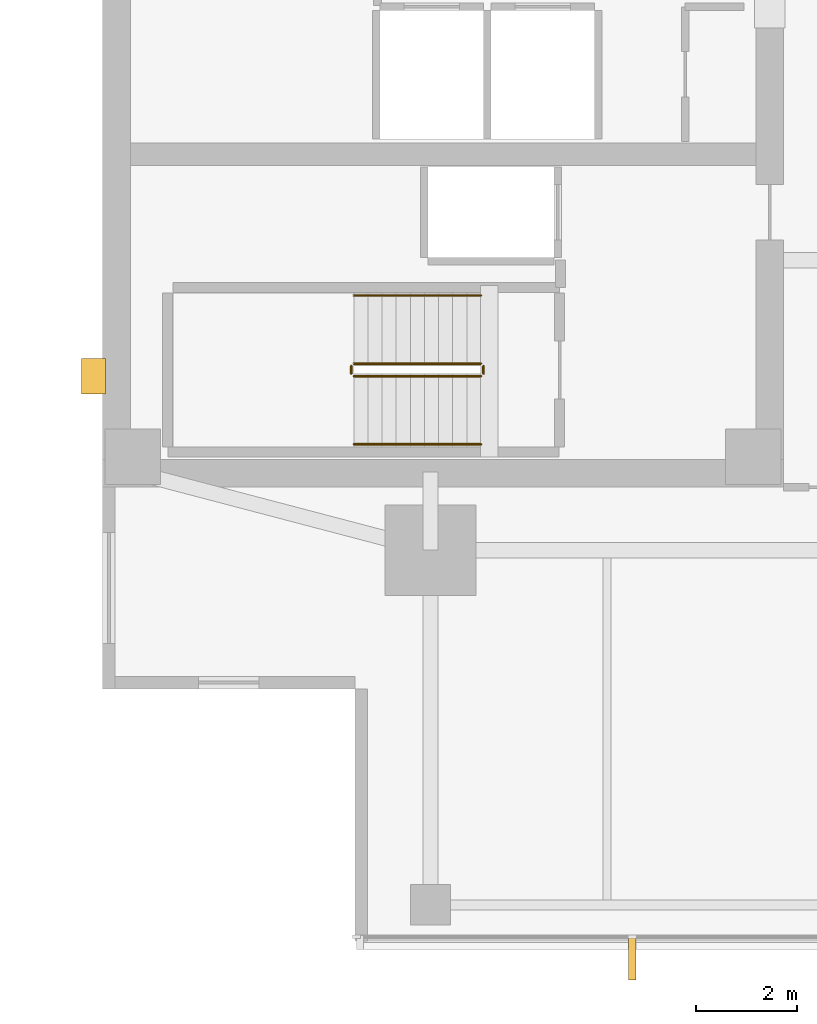
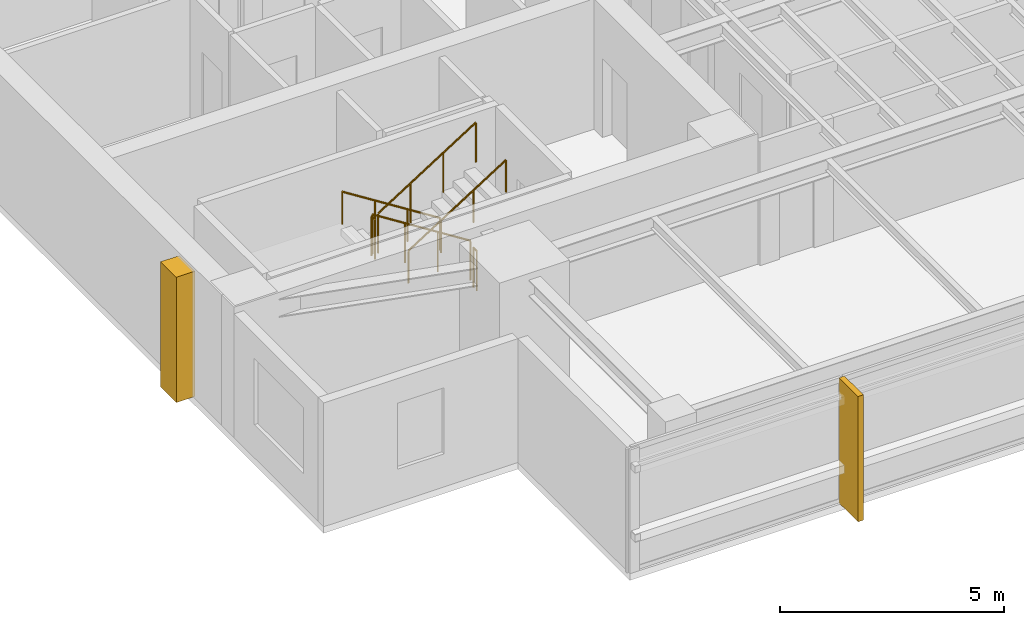
# One storey, part 11 of 14: 6 railings, 2 coverings.
"""IFC4 building model written with IfcOpenShell, lengths in metres."""

from ifc_helpers import new_model, si_unit, direction, frame, origin, origin_2d, place, context, subcontext, project, spatial, polyline, circle, outline, extrude, material, layer, layer_set, type_object, element, save


model = new_model("IFC4")

# Units and contexts
model_context = context("Model", 3, precision=1e-05, world=origin(), true_north=direction((0.0, 1.0)))
body_context = subcontext(model_context, "Body", "Model", "MODEL_VIEW")
ifc_project = project(units=[si_unit("LENGTHUNIT", "METRE"), si_unit("AREAUNIT", "SQUARE_METRE"), si_unit("VOLUMEUNIT", "CUBIC_METRE"), si_unit("PLANEANGLEUNIT", "RADIAN"), si_unit("MASSUNIT", "GRAM", prefix="KILO")], contexts=[model_context])

# Site, building, storey
site_placement = place(None, origin())
site = spatial("IfcSite", under=ifc_project, at=site_placement, CompositionType="ELEMENT")
building_placement = place(site_placement, origin())
building = spatial("IfcBuilding", under=site, at=building_placement, Name="Kinhvarn Gate Tower", CompositionType="ELEMENT")
storey_placement = place(building_placement, frame((0.0, 0.0, 212.89990234375)))
storey = spatial("IfcBuildingStorey", under=building, at=storey_placement, Name="L56", CompositionType="ELEMENT", Elevation=212.89990234375)

# Coverings
ifc_material_1 = material(Name="Fired architectural terracotta", Category="masonry")
ifc_layer_1 = layer(ifc_material_1, 0.139892578125)
ifc_layer_set_1 = layer_set([ifc_layer_1], Name="Fired architectural terracotta")
covering_type_1 = type_object("IfcCoveringType", Name="COV-FIN-850", PredefinedType="CLADDING", material=ifc_layer_set_1)
covering_1_placement = place(storey_placement, frame((0.0, 0.0, -0.02001953125)))
element("IfcCovering", 1, at=covering_1_placement, inside=storey, type_object=covering_type_1, Name="Vertical Terracotta Expressive Fin TFN-850 (L56)", PredefinedType="CLADDING", context=body_context, shape_type="SweptSolid", body=[
    extrude(outline(polyline([(14.929931640625, 5.080078125), (15.070068359375, 5.080078125), (15.070068359375, 4.22998046875), (14.929931640625, 4.22998046875), (14.929931640625, 5.080078125)])), origin(), (0.0, 0.0, 1.0), 3.41015625),
])
ifc_material_2 = material(Name="Precast white architectural concrete C40/50", Category="concrete")
ifc_layer_2 = layer(ifc_material_2, 0.47998046875)
ifc_layer_set_2 = layer_set([ifc_layer_2], Name="Precast white architectural concrete C40/50")
covering_type_2 = type_object("IfcCoveringType", Name="COV-RIB-450", PredefinedType="CLADDING", material=ifc_layer_set_2)
covering_2_placement = place(storey_placement, frame((0.0, 0.0, -0.02001953125)))
element("IfcCovering", 2, at=covering_2_placement, inside=storey, type_object=covering_type_2, Name="West Core Sculptural Concrete Relief Rib CRB-450 (L56)", PredefinedType="CLADDING", context=body_context, shape_type="SweptSolid", body=[
    extrude(outline(polyline([(4.080078125, 15.85009765625), (4.56005859375, 15.85009765625), (4.56005859375, 16.550048828125), (4.080078125, 16.550048828125), (4.080078125, 15.85009765625)])), origin(), (0.0, 0.0, 1.0), 3.41015625),
])

# Railings
ifc_material_3 = material(Name="Steel S355", Category="steel")
railing_type_1 = type_object("IfcRailingType", Name="RL-ST-GRD", PredefinedType="BALUSTRADE", material=ifc_material_3)
railing_1_placement = place(storey_placement, frame((12.0, 16.449951171875, 0.177490234375)))
element("IfcRailing", 3, at=railing_1_placement, inside=storey, type_object=railing_type_1, Name="L56 ST1 stair guard 1", PredefinedType="BALUSTRADE", context=body_context, shape_type="SweptSolid", body=[
    extrude(circle(Radius=0.02392578125, at=origin_2d()), frame((0.0, 0.0, 1.076171875), z_axis=(-0.84456994832, 0.0, 0.535445237532), x_axis=(0.0, -1.0, 0.0)), (0.0, 0.0, 1.0), 2.98388671875),
    extrude(circle(Radius=0.02099609375, at=origin_2d()), origin(), (0.0, 0.0, 1.0), 1.052001953125),
    extrude(circle(Radius=0.02099609375, at=origin_2d()), frame((-0.840087890625, 0.0, 0.532470703125)), (0.0, 0.0, 1.0), 1.052001953125),
    extrude(circle(Radius=0.02099609375, at=origin_2d()), frame((-1.679931640625, 0.0, 1.065185546875)), (0.0, 0.0, 1.0), 1.052001953125),
    extrude(circle(Radius=0.02099609375, at=origin_2d()), frame((-2.52001953125, 0.0, 1.59765625)), (0.0, 0.0, 1.0), 1.052001953125),
])
railing_2_placement = place(storey_placement, frame((9.429931640625, 16.39990234375, 1.775146484375)))
element("IfcRailing", 4, at=railing_2_placement, inside=storey, type_object=railing_type_1, Name="L56 ST1 stair guard 2", PredefinedType="BALUSTRADE", context=body_context, shape_type="SweptSolid", body=[
    extrude(circle(Radius=0.02392578125, at=origin_2d()), frame((0.0, 0.0, 1.076171875), z_axis=(0.0, -1.0, 0.0), x_axis=(1.0, 0.0, 0.0)), (0.0, 0.0, 1.0), 0.14990234375),
    extrude(circle(Radius=0.02099609375, at=origin_2d()), origin(), (0.0, 0.0, 1.0), 1.052001953125),
    extrude(circle(Radius=0.02099609375, at=origin_2d()), frame((0.0, -0.14990234375, 0.0)), (0.0, 0.0, 1.0), 1.052001953125),
])
railing_3_placement = place(storey_placement, frame((9.47998046875, 16.199951171875, 1.95263671875)))
element("IfcRailing", 5, at=railing_3_placement, inside=storey, type_object=railing_type_1, Name="L56 ST1 stair guard 3", PredefinedType="BALUSTRADE", context=body_context, shape_type="SweptSolid", body=[
    extrude(circle(Radius=0.02392578125, at=origin_2d()), frame((0.0, 0.0, 1.076171875), z_axis=(0.84460694969, 0.0, 0.535386869969), x_axis=(0.0, 1.0, 0.0)), (0.0, 0.0, 1.0), 2.983642578125),
    extrude(circle(Radius=0.02099609375, at=origin_2d()), origin(), (0.0, 0.0, 1.0), 1.052001953125),
    extrude(circle(Radius=0.02099609375, at=origin_2d()), frame((0.840087890625, 0.0, 0.532470703125)), (0.0, 0.0, 1.0), 1.052001953125),
    extrude(circle(Radius=0.02099609375, at=origin_2d()), frame((1.679931640625, 0.0, 1.06494140625)), (0.0, 0.0, 1.0), 1.052001953125),
    extrude(circle(Radius=0.02099609375, at=origin_2d()), frame((2.52001953125, 0.0, 1.597412109375)), (0.0, 0.0, 1.0), 1.052001953125),
])
railing_4_placement = place(storey_placement, frame((12.050048828125, 16.39990234375, 0.0)))
element("IfcRailing", 6, at=railing_4_placement, inside=storey, type_object=railing_type_1, Name="L56 ST1 stair guard 4", PredefinedType="BALUSTRADE", context=body_context, shape_type="SweptSolid", body=[
    extrude(circle(Radius=0.02392578125, at=origin_2d()), frame((0.0, 0.0, 1.076171875), z_axis=(0.0, -1.0, 0.0), x_axis=(1.0, 0.0, 0.0)), (0.0, 0.0, 1.0), 0.14990234375),
    extrude(circle(Radius=0.02099609375, at=origin_2d()), origin(), (0.0, 0.0, 1.0), 1.052001953125),
    extrude(circle(Radius=0.02099609375, at=origin_2d()), frame((0.0, -0.14990234375, 0.0)), (0.0, 0.0, 1.0), 1.052001953125),
])
railing_type_2 = type_object("IfcRailingType", Name="RL-ST-HND", PredefinedType="HANDRAIL", material=ifc_material_3)
railing_5_placement = place(storey_placement, frame((12.0, 17.800048828125, 0.177490234375)))
element("IfcRailing", 7, at=railing_5_placement, inside=storey, type_object=railing_type_2, Name="L56 ST1 stair handrail 1", PredefinedType="HANDRAIL", context=body_context, shape_type="SweptSolid", body=[
    extrude(circle(Radius=0.02392578125, at=origin_2d()), frame((0.0, 0.0, 0.8759765625), z_axis=(-0.84456994832, 0.0, 0.535445237532), x_axis=(0.0, -1.0, 0.0)), (0.0, 0.0, 1.0), 2.98388671875),
    extrude(circle(Radius=0.02099609375, at=origin_2d()), origin(), (0.0, 0.0, 1.0), 0.851806640625),
    extrude(circle(Radius=0.02099609375, at=origin_2d()), frame((-0.840087890625, 0.0, 0.532470703125)), (0.0, 0.0, 1.0), 0.851806640625),
    extrude(circle(Radius=0.02099609375, at=origin_2d()), frame((-1.679931640625, 0.0, 1.065185546875)), (0.0, 0.0, 1.0), 0.851806640625),
    extrude(circle(Radius=0.02099609375, at=origin_2d()), frame((-2.52001953125, 0.0, 1.59765625)), (0.0, 0.0, 1.0), 0.851806640625),
])
railing_6_placement = place(storey_placement, frame((9.47998046875, 14.85009765625, 1.95263671875)))
element("IfcRailing", 8, at=railing_6_placement, inside=storey, type_object=railing_type_2, Name="L56 ST1 stair handrail 2", PredefinedType="HANDRAIL", context=body_context, shape_type="SweptSolid", body=[
    extrude(circle(Radius=0.02392578125, at=origin_2d()), frame((0.0, 0.0, 0.8759765625), z_axis=(0.84460694969, 0.0, 0.535386869969), x_axis=(0.0, 1.0, 0.0)), (0.0, 0.0, 1.0), 2.983642578125),
    extrude(circle(Radius=0.02099609375, at=origin_2d()), origin(), (0.0, 0.0, 1.0), 0.851806640625),
    extrude(circle(Radius=0.02099609375, at=origin_2d()), frame((0.840087890625, 0.0, 0.532470703125)), (0.0, 0.0, 1.0), 0.851806640625),
    extrude(circle(Radius=0.02099609375, at=origin_2d()), frame((1.679931640625, 0.0, 1.06494140625)), (0.0, 0.0, 1.0), 0.851806640625),
    extrude(circle(Radius=0.02099609375, at=origin_2d()), frame((2.52001953125, 0.0, 1.597412109375)), (0.0, 0.0, 1.0), 0.851806640625),
])

save(model, "model.ifc")
